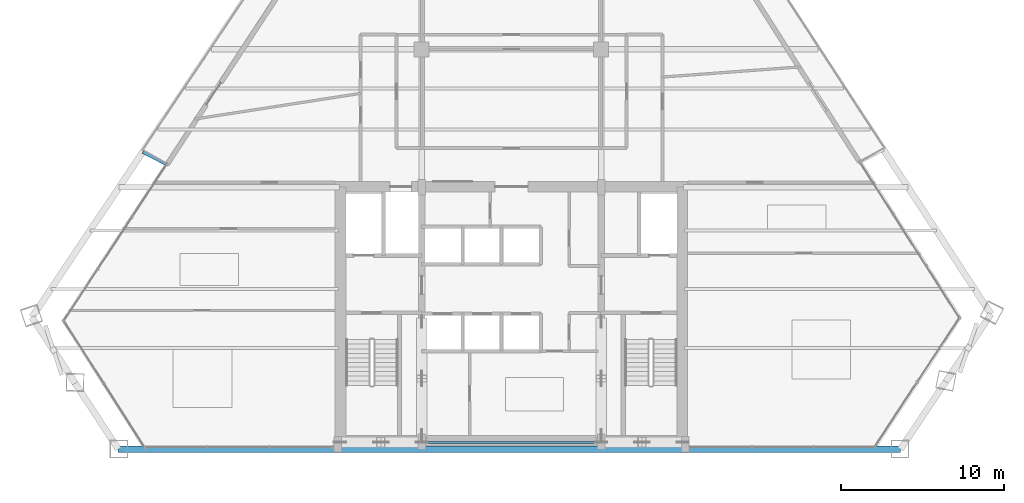
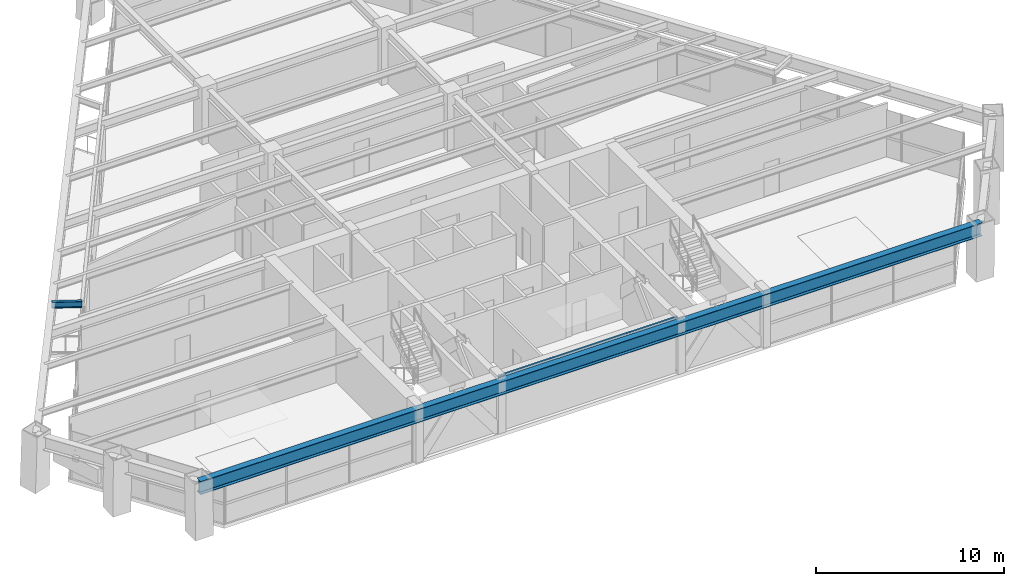
# One storey, part 3 of 14: 3 beams.
"""IFC4 building model written with IfcOpenShell, lengths in metres."""

from ifc_helpers import new_model, si_unit, direction, frame, origin, origin_2d, place, context, subcontext, project, spatial, i_section, extrude, source, transform, mapped, material, material_profile, profile_set, type_object, type_shapes, element, save


model = new_model("IFC4")

# Units and contexts
model_context = context("Model", 3, precision=1e-05, world=origin(), true_north=direction((0.0, 1.0)))
body_context = subcontext(model_context, "Body", "Model", "MODEL_VIEW")
ifc_project = project(units=[si_unit("LENGTHUNIT", "METRE"), si_unit("AREAUNIT", "SQUARE_METRE"), si_unit("VOLUMEUNIT", "CUBIC_METRE"), si_unit("PLANEANGLEUNIT", "RADIAN"), si_unit("MASSUNIT", "GRAM", prefix="KILO")], contexts=[model_context])

# Site, building, storey
site_placement = place(None, origin())
site = spatial("IfcSite", under=ifc_project, at=site_placement, CompositionType="ELEMENT")
building_placement = place(site_placement, origin())
building = spatial("IfcBuilding", under=site, at=building_placement, Name="Varnakhor Terracotta Tower", CompositionType="ELEMENT")
storey_placement = place(building_placement, frame((0.0, 0.0, 129.300048828125)))
storey = spatial("IfcBuildingStorey", under=building, at=storey_placement, Name="L32", CompositionType="ELEMENT", Elevation=129.300048828125)

# Beams
ifc_material = material(Name="Steel S355", Category="steel")
ifc_material_profile_1 = material_profile(ifc_material, i_section(OverallWidth=0.1201171875, OverallDepth=0.239990234375, WebThickness=0.006103515625, FlangeThickness=0.009765625, FilletRadius=0.01806640625, at=origin_2d()), Name="IPE240")
ifc_profile_set_1 = profile_set([ifc_material_profile_1], Name="Steel S355")
beam_type_1 = type_object("IfcBeamType", Name="LNT-IPE240", PredefinedType="LINTEL", material=ifc_profile_set_1)
shared_shape_1 = source(origin(), body_context, "Body", "SweptSolid", [
    extrude(i_section(OverallWidth=0.1201171875, OverallDepth=0.239990234375, WebThickness=0.006103515625, FlangeThickness=0.009765625, FilletRadius=0.01806640625, at=origin_2d()), origin(), (0.0, 0.0, 1.0), 11.0),
])
type_shapes(beam_type_1, [shared_shape_1])
beam_1_placement = place(storey_placement, frame((-5.5, 0.419921875, 3.349853515625), z_axis=(1.0, 0.0, 0.0), x_axis=(0.0, 1.0, 0.0)))
element("IfcBeam", 1, at=beam_1_placement, inside=storey, type_object=beam_type_1, Name="L32 Core South Coupling Lintel", PredefinedType="LINTEL", context=body_context, shape_type="MappedRepresentation", body=[
    mapped(shared_shape_1, transform((0.0, 0.0, 0.0), scale=1.0)),
])
ifc_material_profile_2 = material_profile(ifc_material, i_section(OverallWidth=0.39990234375, OverallDepth=0.85498046875, WebThickness=0.01806640625, FlangeThickness=0.029052734375, FilletRadius=0.01806640625, at=origin_2d()), Name="W33X201")
ifc_profile_set_2 = profile_set([ifc_material_profile_2], Name="Steel S355")
beam_type_2 = type_object("IfcBeamType", Name="BM-W33X201", PredefinedType="BEAM", material=ifc_profile_set_2)
shared_shape_2 = source(origin(), body_context, "Body", "SweptSolid", [
    extrude(i_section(OverallWidth=0.39990234375, OverallDepth=0.85498046875, WebThickness=0.01806640625, FlangeThickness=0.029052734375, FilletRadius=0.01806640625, at=origin_2d()), origin(), (0.0, 0.0, 1.0), 47.94384765625),
])
beam_2_placement = place(storey_placement, frame((-24.09814453125, 0.0, 3.04248046875), z_axis=(1.0, 0.0, 0.0), x_axis=(0.0, 1.0, 0.0)))
element("IfcBeam", 2, at=beam_2_placement, inside=storey, type_object=beam_type_2, Name="L32 Perimeter Spandrel 1", PredefinedType="BEAM", context=body_context, shape_type="MappedRepresentation", body=[
    mapped(shared_shape_2, transform((0.0, 0.0, 0.0), scale=1.0)),
])
ifc_material_profile_3 = material_profile(ifc_material, i_section(OverallWidth=0.179931640625, OverallDepth=0.39990234375, WebThickness=0.008544921875, FlangeThickness=0.013427734375, FilletRadius=0.01806640625, at=origin_2d()), Name="IPE400")
ifc_profile_set_3 = profile_set([ifc_material_profile_3], Name="Steel S355")
beam_type_3 = type_object("IfcBeamType", Name="JST-IPE400", PredefinedType="JOIST", material=ifc_profile_set_3)
shared_shape_3 = source(origin(), body_context, "Body", "SweptSolid", [
    extrude(i_section(OverallWidth=0.179931640625, OverallDepth=0.39990234375, WebThickness=0.008544921875, FlangeThickness=0.013427734375, FilletRadius=0.01806640625, at=origin_2d()), origin(), (0.0, 0.0, 1.0), 1.619384765625),
])
beam_3_placement = place(storey_placement, frame((-21.159912109375, 17.462646484375, 3.27001953125), z_axis=(-0.888005402694, 0.459833018373, 0.0), x_axis=(-0.459833018373, -0.888005402694, 0.0)))
element("IfcBeam", 3, at=beam_3_placement, inside=storey, type_object=beam_type_3, Name="L33 W Loggia Tie Beam 1", PredefinedType="JOIST", context=body_context, shape_type="MappedRepresentation", body=[
    mapped(shared_shape_3, transform((0.0, 0.0, 0.0), scale=1.0)),
])

save(model, "model.ifc")
